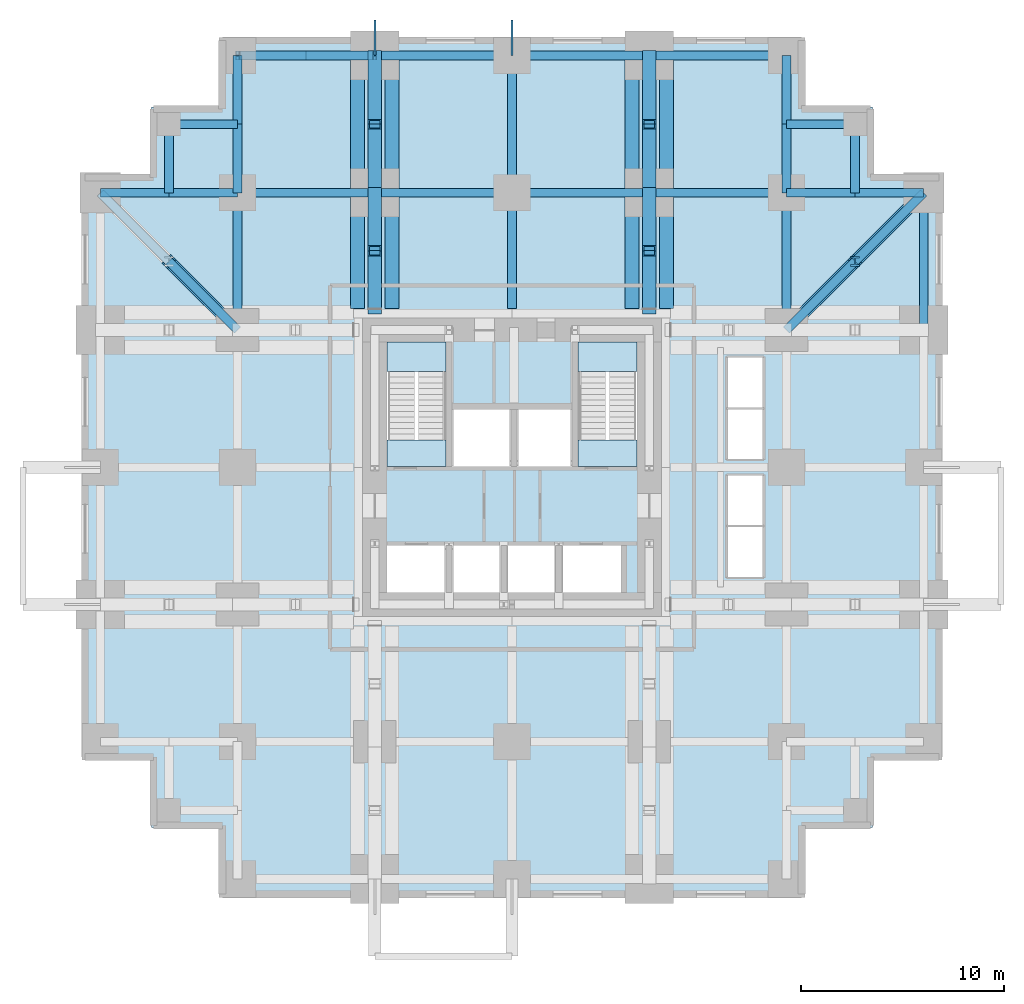
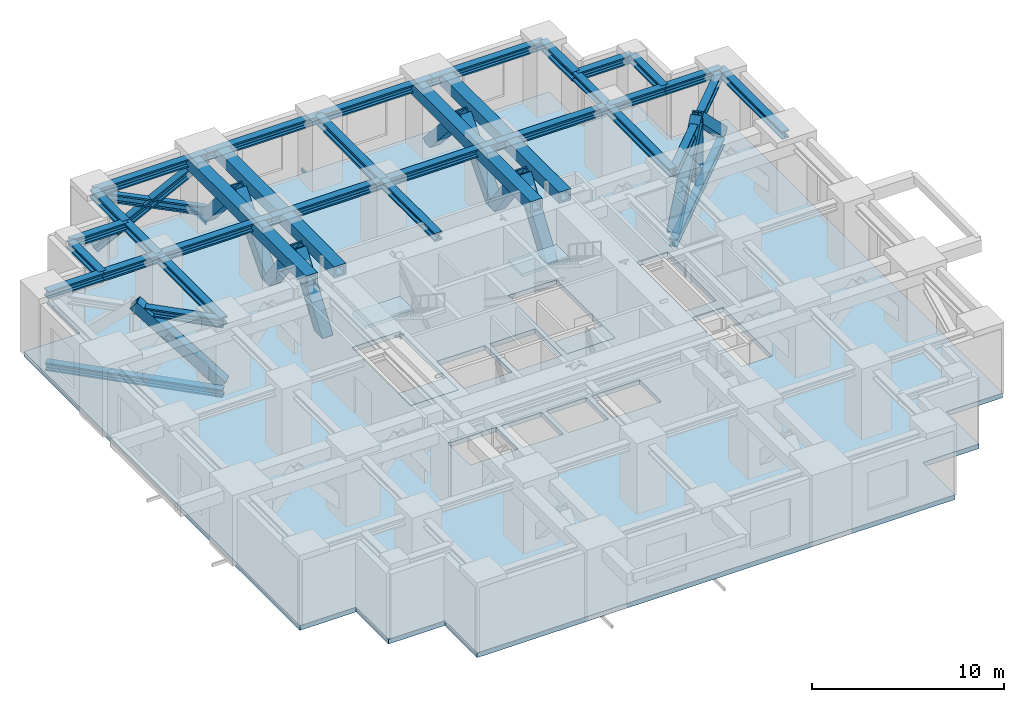
# One storey, part 3 of 6: 33 beams, 21 members, 5 slabs, 2 elements without a shape of their own.
"""IFC4 building model written with IfcOpenShell, lengths in metres."""

from ifc_helpers import new_model, si_unit, direction, frame, origin, origin_2d, place, context, subcontext, project, spatial, polyline, hollow_rectangle, i_section, outline, extrude, material, layer, layer_set, material_profile, profile_set, type_object, element, aggregate, save


model = new_model("IFC4")

# Units and contexts
model_context = context("Model", 3, precision=1e-05, world=origin(), true_north=direction((0.0, 1.0)))
body_context = subcontext(model_context, "Body", "Model", "MODEL_VIEW")
ifc_project = project(units=[si_unit("LENGTHUNIT", "METRE"), si_unit("AREAUNIT", "SQUARE_METRE"), si_unit("VOLUMEUNIT", "CUBIC_METRE"), si_unit("PLANEANGLEUNIT", "RADIAN"), si_unit("MASSUNIT", "GRAM", prefix="KILO")], contexts=[model_context])

# Site, building, storey
site_placement = place(None, origin())
site = spatial("IfcSite", under=ifc_project, at=site_placement, CompositionType="ELEMENT")
building_placement = place(site_placement, origin())
building = spatial("IfcBuilding", under=site, at=building_placement, Name="Nyansa Garden Tower", CompositionType="ELEMENT")
storey_placement = place(building_placement, frame((0.0, 0.0, 75.60009765625)))
storey = spatial("IfcBuildingStorey", under=building, at=storey_placement, Name="L20", CompositionType="ELEMENT", Elevation=75.60009765625)

# Members
ifc_material_1 = material(Name="Steel S355", Category="steel")
ifc_material_profile_1 = material_profile(ifc_material_1, i_section(OverallWidth=0.431884765625, OverallDepth=0.498046875, WebThickness=0.0556640625, FlangeThickness=0.0888671875, FilletRadius=0.014892578125, at=origin_2d()), Name="HD 400x744")
ifc_profile_set_1 = profile_set([ifc_material_profile_1], Name="Steel S355")
member_type_1 = type_object("IfcMemberType", Name="Belt truss diagonal HD 400x744", PredefinedType="BRACE", material=ifc_profile_set_1)
for number, where, z_axis, x_axis, name in (
    (1, (6.75, 40.5, 0.39990234375), (0.895745130073, 0.0, 0.444567949756), (0.0, 1.0, 0.0), "Belt truss diagonal N1a L20"),
    (2, (13.5, 40.5, 0.39990234375), (-0.895745130073, 0.0, 0.444567949756), (0.0, -1.0, 0.0), "Belt truss diagonal N1b L20"),
):
    element("IfcMember", number, at=place(storey_placement, frame(where, z_axis=z_axis, x_axis=x_axis)), inside=storey, type_object=member_type_1, Name=name, PredefinedType="BRACE", context=body_context, shape_type="SweptSolid", body=[
        extrude(i_section(OverallWidth=0.431884765625, OverallDepth=0.498046875, WebThickness=0.0556640625, FlangeThickness=0.0888671875, FilletRadius=0.014892578125, at=origin_2d()), origin(), (0.0, 0.0, 1.0), 7.53564453125),
    ])
ifc_material_2 = material(Name="Steel S355, black powder coated", Category="steel")
ifc_material_profile_2 = material_profile(ifc_material_2, hollow_rectangle(XDim=0.10009765625, YDim=0.199951171875, WallThickness=0.008056640625, at=origin_2d()), Name="RHS 200x100x8")
ifc_profile_set_2 = profile_set([ifc_material_profile_2], Name="Steel S355, black powder coated")
member_type_2 = type_object("IfcMemberType", Name="Outer skin bracket arm RHS 200x100x8", PredefinedType="USERDEFINED", material=ifc_profile_set_2)
for number, where, z_axis, x_axis, name in (
    (3, (13.5, 40.5, -0.4501953125), (0.0, 1.0, 0.0), (-1.0, 0.0, 0.0), "Outer skin bracket arm"),
    (4, (20.25, 40.5, -0.4501953125), (0.0, 1.0, 0.0), (-1.0, 0.0, 0.0), "Outer skin bracket arm"),
):
    element("IfcMember", number, at=place(storey_placement, frame(where, z_axis=z_axis, x_axis=x_axis)), inside=storey, type_object=member_type_2, Name=name, ObjectType="OUTER SKIN BRACKET", PredefinedType="USERDEFINED", context=body_context, shape_type="SweptSolid", body=[
        extrude(hollow_rectangle(XDim=0.10009765625, YDim=0.199951171875, WallThickness=0.008056640625, at=origin_2d()), origin(), (0.0, 0.0, 1.0), 1.75),
    ])

# Beams
ifc_material_3 = material(Name="Steel S355", Category="steel")
ifc_material_profile_3 = material_profile(ifc_material_3, hollow_rectangle(XDim=0.699951171875, YDim=0.699951171875, WallThickness=0.110107421875, at=origin_2d()), Name="Welded box 700x700x110")
ifc_profile_set_3 = profile_set([ifc_material_profile_3], Name="Steel S355")
beam_type_1 = type_object("IfcBeamType", Name="Outrigger chord OC2 welded box 700x700x110 S355", PredefinedType="BEAM", material=ifc_profile_set_3)
for number, where, z_axis, x_axis, name in (
    (5, (12.64990234375, 28.050048828125, 3.7998046875), (0.0, 1.0, 0.0), (-1.0, 0.0, 0.0), "Beam 4/28.050-4/J L21 a"),
    (6, (14.35009765625, 28.050048828125, 3.7998046875), (0.0, 1.0, 0.0), (-1.0, 0.0, 0.0), "Beam 4/28.050-4/J L21 b"),
):
    element("IfcBeam", number, at=place(storey_placement, frame(where, z_axis=z_axis, x_axis=x_axis)), inside=storey, type_object=beam_type_1, Name=name, PredefinedType="BEAM", context=body_context, shape_type="SweptSolid", body=[
        extrude(hollow_rectangle(XDim=0.699951171875, YDim=0.699951171875, WallThickness=0.110107421875, at=origin_2d()), origin(), (0.0, 0.0, 1.0), 5.699951171875),
    ])
for number, where, z_axis, x_axis, name in (
    (7, (12.64990234375, 33.75, 3.7998046875), (0.0, 1.0, 0.0), (-1.0, 0.0, 0.0), "Beam 4/J-4/K L21 a"),
    (8, (14.35009765625, 33.75, 3.7998046875), (0.0, 1.0, 0.0), (-1.0, 0.0, 0.0), "Beam 4/J-4/K L21 b"),
):
    element("IfcBeam", number, at=place(storey_placement, frame(where, z_axis=z_axis, x_axis=x_axis)), inside=storey, type_object=beam_type_1, Name=name, PredefinedType="BEAM", context=body_context, shape_type="SweptSolid", body=[
        extrude(hollow_rectangle(XDim=0.699951171875, YDim=0.699951171875, WallThickness=0.110107421875, at=origin_2d()), origin(), (0.0, 0.0, 1.0), 6.75),
    ])
for number, where, z_axis, x_axis, name in (
    (9, (26.14990234375, 28.050048828125, 3.7998046875), (0.0, 1.0, 0.0), (-1.0, 0.0, 0.0), "Beam 6/28.050-6/J L21 a"),
    (10, (27.85009765625, 28.050048828125, 3.7998046875), (0.0, 1.0, 0.0), (-1.0, 0.0, 0.0), "Beam 6/28.050-6/J L21 b"),
):
    element("IfcBeam", number, at=place(storey_placement, frame(where, z_axis=z_axis, x_axis=x_axis)), inside=storey, type_object=beam_type_1, Name=name, PredefinedType="BEAM", context=body_context, shape_type="SweptSolid", body=[
        extrude(hollow_rectangle(XDim=0.699951171875, YDim=0.699951171875, WallThickness=0.110107421875, at=origin_2d()), origin(), (0.0, 0.0, 1.0), 5.699951171875),
    ])
for number, where, z_axis, x_axis, name in (
    (11, (26.14990234375, 33.75, 3.7998046875), (0.0, 1.0, 0.0), (-1.0, 0.0, 0.0), "Beam 6/J-6/K L21 a"),
    (12, (27.85009765625, 33.75, 3.7998046875), (0.0, 1.0, 0.0), (-1.0, 0.0, 0.0), "Beam 6/J-6/K L21 b"),
):
    element("IfcBeam", number, at=place(storey_placement, frame(where, z_axis=z_axis, x_axis=x_axis)), inside=storey, type_object=beam_type_1, Name=name, PredefinedType="BEAM", context=body_context, shape_type="SweptSolid", body=[
        extrude(hollow_rectangle(XDim=0.699951171875, YDim=0.699951171875, WallThickness=0.110107421875, at=origin_2d()), origin(), (0.0, 0.0, 1.0), 6.75),
    ])

# Members
ifc_material_4 = material(Name="Steel S355", Category="steel")
ifc_material_profile_4 = material_profile(ifc_material_4, hollow_rectangle(XDim=0.64990234375, YDim=0.64990234375, WallThickness=0.070068359375, at=origin_2d()), Name="Welded box 650x650x70")
ifc_profile_set_4 = profile_set([ifc_material_profile_4], Name="Steel S355")
member_type_3 = type_object("IfcMemberType", Name="Outrigger truss diagonal OT3 welded box 650x650x70 S355", PredefinedType="BRACE", material=ifc_profile_set_4)
member_1_placement = place(storey_placement, frame((13.5, 28.050048828125, -0.300048828125), z_axis=(0.0, 0.570765031225, 0.82111343865), x_axis=(-1.0, 0.0, 0.0)))
element("IfcMember", 13, at=member_1_placement, inside=storey, type_object=member_type_3, Name="Outrigger truss diagonal L20 3.1a", PredefinedType="BRACE", context=body_context, shape_type="SweptSolid", body=[
    extrude(hollow_rectangle(XDim=0.64990234375, YDim=0.64990234375, WallThickness=0.070068359375, at=origin_2d()), origin(), (0.0, 0.0, 1.0), 4.992919921875),
])
member_2_placement = place(storey_placement, frame((13.5, 33.75, 0.0), z_axis=(0.0, -0.600032894906, 0.799975327764), x_axis=(1.0, 0.0, 0.0)))
element("IfcMember", 14, at=member_2_placement, inside=storey, type_object=member_type_3, Name="Outrigger truss diagonal L20 3.1b", PredefinedType="BRACE", context=body_context, shape_type="SweptSolid", body=[
    extrude(hollow_rectangle(XDim=0.64990234375, YDim=0.64990234375, WallThickness=0.070068359375, at=origin_2d()), origin(), (0.0, 0.0, 1.0), 4.75),
])
for number, where, z_axis, x_axis, name in (
    (15, (13.5, 33.75, 0.0), (0.0, 0.664077549785, 0.747663699715), (-1.0, 0.0, 0.0), "Outrigger truss diagonal L20 3.2a"),
    (16, (13.5, 40.5, 0.0), (0.0, -0.664077549785, 0.747663699715), (1.0, 0.0, 0.0), "Outrigger truss diagonal L20 3.2b"),
):
    element("IfcMember", number, at=place(storey_placement, frame(where, z_axis=z_axis, x_axis=x_axis)), inside=storey, type_object=member_type_3, Name=name, PredefinedType="BRACE", context=body_context, shape_type="SweptSolid", body=[
        extrude(hollow_rectangle(XDim=0.64990234375, YDim=0.64990234375, WallThickness=0.070068359375, at=origin_2d()), origin(), (0.0, 0.0, 1.0), 5.082275390625),
    ])
member_3_placement = place(storey_placement, frame((27.0, 28.050048828125, -0.300048828125), z_axis=(0.0, 0.570765031225, 0.82111343865), x_axis=(-1.0, 0.0, 0.0)))
element("IfcMember", 17, at=member_3_placement, inside=storey, type_object=member_type_3, Name="Outrigger truss diagonal L20 4.1a", PredefinedType="BRACE", context=body_context, shape_type="SweptSolid", body=[
    extrude(hollow_rectangle(XDim=0.64990234375, YDim=0.64990234375, WallThickness=0.070068359375, at=origin_2d()), origin(), (0.0, 0.0, 1.0), 4.992919921875),
])
member_4_placement = place(storey_placement, frame((27.0, 33.75, 0.0), z_axis=(0.0, -0.600032894906, 0.799975327764), x_axis=(1.0, 0.0, 0.0)))
element("IfcMember", 18, at=member_4_placement, inside=storey, type_object=member_type_3, Name="Outrigger truss diagonal L20 4.1b", PredefinedType="BRACE", context=body_context, shape_type="SweptSolid", body=[
    extrude(hollow_rectangle(XDim=0.64990234375, YDim=0.64990234375, WallThickness=0.070068359375, at=origin_2d()), origin(), (0.0, 0.0, 1.0), 4.75),
])
for number, where, z_axis, x_axis, name in (
    (19, (27.0, 33.75, 0.0), (0.0, 0.664077549785, 0.747663699715), (-1.0, 0.0, 0.0), "Outrigger truss diagonal L20 4.2a"),
    (20, (27.0, 40.5, 0.0), (0.0, -0.664077549785, 0.747663699715), (1.0, 0.0, 0.0), "Outrigger truss diagonal L20 4.2b"),
):
    element("IfcMember", number, at=place(storey_placement, frame(where, z_axis=z_axis, x_axis=x_axis)), inside=storey, type_object=member_type_3, Name=name, PredefinedType="BRACE", context=body_context, shape_type="SweptSolid", body=[
        extrude(hollow_rectangle(XDim=0.64990234375, YDim=0.64990234375, WallThickness=0.070068359375, at=origin_2d()), origin(), (0.0, 0.0, 1.0), 5.082275390625),
    ])

# Beams
ifc_material_5 = material(Name="Steel S355", Category="steel")
ifc_material_profile_5 = material_profile(ifc_material_5, i_section(OverallWidth=0.4541015625, OverallDepth=0.569091796875, WebThickness=0.077880859375, FlangeThickness=0.125, FilletRadius=0.014892578125, at=origin_2d()), Name="HD 400x1086")
ifc_profile_set_5 = profile_set([ifc_material_profile_5], Name="Steel S355")
beam_type_2 = type_object("IfcBeamType", Name="Steel beam SBA2-1086 HD 400x1086", PredefinedType="BEAM", material=ifc_profile_set_5)
beam_1_placement = place(storey_placement, frame((20.25, 33.75, 3.865478515625), z_axis=(0.0, 1.0, 0.0), x_axis=(-1.0, 0.0, 0.0)))
element("IfcBeam", 21, at=beam_1_placement, inside=storey, type_object=beam_type_2, Name="Steel beam 5/J-5/K L21", PredefinedType="BEAM", context=body_context, shape_type="SweptSolid", body=[
    extrude(i_section(OverallWidth=0.4541015625, OverallDepth=0.569091796875, WebThickness=0.077880859375, FlangeThickness=0.125, FilletRadius=0.014892578125, at=origin_2d()), origin(), (0.0, 0.0, 1.0), 6.75),
])
ifc_material_6 = material(Name="Steel S355", Category="steel")
ifc_material_profile_6 = material_profile(ifc_material_6, i_section(OverallWidth=0.431884765625, OverallDepth=0.498046875, WebThickness=0.0556640625, FlangeThickness=0.0888671875, FilletRadius=0.014892578125, at=origin_2d()), Name="HD 400x744")
ifc_profile_set_6 = profile_set([ifc_material_profile_6], Name="Steel S355")
beam_type_3 = type_object("IfcBeamType", Name="Steel beam SBA2-744 HD 400x744", PredefinedType="BEAM", material=ifc_profile_set_6)
beam_2_placement = place(storey_placement, frame((3.375, 33.75, 3.90087890625), z_axis=(1.0, 0.0, 0.0), x_axis=(0.0, 1.0, 0.0)))
element("IfcBeam", 22, at=beam_2_placement, inside=storey, type_object=beam_type_3, Name="Steel beam 3.375/J-3/J L21", PredefinedType="BEAM", context=body_context, shape_type="SweptSolid", body=[
    extrude(i_section(OverallWidth=0.431884765625, OverallDepth=0.498046875, WebThickness=0.0556640625, FlangeThickness=0.0888671875, FilletRadius=0.014892578125, at=origin_2d()), origin(), (0.0, 0.0, 1.0), 3.375),
])
beam_3_placement = place(storey_placement, frame((6.75, 27.0, 3.90087890625), z_axis=(0.0, 1.0, 0.0), x_axis=(-1.0, 0.0, 0.0)))
element("IfcBeam", 23, at=beam_3_placement, inside=storey, type_object=beam_type_3, Name="Steel beam 3/H-3/J L21", PredefinedType="BEAM", context=body_context, shape_type="SweptSolid", body=[
    extrude(i_section(OverallWidth=0.431884765625, OverallDepth=0.498046875, WebThickness=0.0556640625, FlangeThickness=0.0888671875, FilletRadius=0.014892578125, at=origin_2d()), origin(), (0.0, 0.0, 1.0), 6.75),
])
beam_4_placement = place(storey_placement, frame((6.75, 33.75, 3.90087890625), z_axis=(0.0, 1.0, 0.0), x_axis=(-1.0, 0.0, 0.0)))
element("IfcBeam", 24, at=beam_4_placement, inside=storey, type_object=beam_type_3, Name="Steel beam 3/J-3/37.125 L21", PredefinedType="BEAM", context=body_context, shape_type="SweptSolid", body=[
    extrude(i_section(OverallWidth=0.431884765625, OverallDepth=0.498046875, WebThickness=0.0556640625, FlangeThickness=0.0888671875, FilletRadius=0.014892578125, at=origin_2d()), origin(), (0.0, 0.0, 1.0), 3.375),
])
for number, where, z_axis, x_axis, name in (
    (25, (6.75, 33.75, 3.90087890625), (1.0, 0.0, 0.0), (0.0, 1.0, 0.0), "Steel beam 3/J-4/J L21"),
    (26, (13.5, 33.75, 3.90087890625), (1.0, 0.0, 0.0), (0.0, 1.0, 0.0), "Steel beam 4/J-5/J L21"),
):
    element("IfcBeam", number, at=place(storey_placement, frame(where, z_axis=z_axis, x_axis=x_axis)), inside=storey, type_object=beam_type_3, Name=name, PredefinedType="BEAM", context=body_context, shape_type="SweptSolid", body=[
        extrude(i_section(OverallWidth=0.431884765625, OverallDepth=0.498046875, WebThickness=0.0556640625, FlangeThickness=0.0888671875, FilletRadius=0.014892578125, at=origin_2d()), origin(), (0.0, 0.0, 1.0), 6.75),
    ])
beam_5_placement = place(storey_placement, frame((20.25, 28.050048828125, 3.90087890625), z_axis=(0.0, 1.0, 0.0), x_axis=(-1.0, 0.0, 0.0)))
element("IfcBeam", 27, at=beam_5_placement, inside=storey, type_object=beam_type_3, Name="Steel beam 5/28.050-5/J L21", PredefinedType="BEAM", context=body_context, shape_type="SweptSolid", body=[
    extrude(i_section(OverallWidth=0.431884765625, OverallDepth=0.498046875, WebThickness=0.0556640625, FlangeThickness=0.0888671875, FilletRadius=0.014892578125, at=origin_2d()), origin(), (0.0, 0.0, 1.0), 5.699951171875),
])
for number, where, z_axis, x_axis, name in (
    (28, (20.25, 33.75, 3.90087890625), (1.0, 0.0, 0.0), (0.0, 1.0, 0.0), "Steel beam 5/J-6/J L21"),
    (29, (27.0, 33.75, 3.90087890625), (1.0, 0.0, 0.0), (0.0, 1.0, 0.0), "Steel beam 6/J-7/J L21"),
    (30, (33.75, 27.0, 3.90087890625), (0.0, 1.0, 0.0), (-1.0, 0.0, 0.0), "Steel beam 7/H-7/J L21"),
):
    element("IfcBeam", number, at=place(storey_placement, frame(where, z_axis=z_axis, x_axis=x_axis)), inside=storey, type_object=beam_type_3, Name=name, PredefinedType="BEAM", context=body_context, shape_type="SweptSolid", body=[
        extrude(i_section(OverallWidth=0.431884765625, OverallDepth=0.498046875, WebThickness=0.0556640625, FlangeThickness=0.0888671875, FilletRadius=0.014892578125, at=origin_2d()), origin(), (0.0, 0.0, 1.0), 6.75),
    ])
for number, where, z_axis, x_axis, name in (
    (31, (33.75, 33.75, 3.90087890625), (0.0, 1.0, 0.0), (-1.0, 0.0, 0.0), "Steel beam 7/J-7/37.125 L21"),
    (32, (33.75, 33.75, 3.90087890625), (1.0, 0.0, 0.0), (0.0, 1.0, 0.0), "Steel beam 7/J-37.125/J L21"),
):
    element("IfcBeam", number, at=place(storey_placement, frame(where, z_axis=z_axis, x_axis=x_axis)), inside=storey, type_object=beam_type_3, Name=name, PredefinedType="BEAM", context=body_context, shape_type="SweptSolid", body=[
        extrude(i_section(OverallWidth=0.431884765625, OverallDepth=0.498046875, WebThickness=0.0556640625, FlangeThickness=0.0888671875, FilletRadius=0.014892578125, at=origin_2d()), origin(), (0.0, 0.0, 1.0), 3.375),
    ])
ifc_material_7 = material(Name="Steel S355", Category="steel")
ifc_material_profile_7 = material_profile(ifc_material_7, i_section(OverallWidth=0.431884765625, OverallDepth=0.498046875, WebThickness=0.0556640625, FlangeThickness=0.0888671875, FilletRadius=0.014892578125, at=origin_2d()), Name="HD 400x744")
ifc_profile_set_7 = profile_set([ifc_material_profile_7], Name="Steel S355")
beam_type_4 = type_object("IfcBeamType", Name="Steel beam SEBA-744 HD 400x744", PredefinedType="BEAM", material=ifc_profile_set_7)
for number, where, z_axis, x_axis, name in (
    (33, (6.75, 40.5, 3.90087890625), (1.0, 0.0, 0.0), (0.0, 1.0, 0.0), "Steel edge beam 3/K-4/K L21"),
    (34, (13.5, 40.5, 3.90087890625), (1.0, 0.0, 0.0), (0.0, 1.0, 0.0), "Steel edge beam 4/K-5/K L21"),
    (35, (20.25, 40.5, 3.90087890625), (1.0, 0.0, 0.0), (0.0, 1.0, 0.0), "Steel edge beam 5/K-6/K L21"),
    (36, (27.0, 40.5, 3.90087890625), (1.0, 0.0, 0.0), (0.0, 1.0, 0.0), "Steel edge beam 6/K-7/K L21"),
    (37, (40.5, 27.0, 3.90087890625), (0.0, 1.0, 0.0), (-1.0, 0.0, 0.0), "Steel edge beam 8/H-8/J L21"),
):
    element("IfcBeam", number, at=place(storey_placement, frame(where, z_axis=z_axis, x_axis=x_axis)), inside=storey, type_object=beam_type_4, Name=name, PredefinedType="BEAM", context=body_context, shape_type="SweptSolid", body=[
        extrude(i_section(OverallWidth=0.431884765625, OverallDepth=0.498046875, WebThickness=0.0556640625, FlangeThickness=0.0888671875, FilletRadius=0.014892578125, at=origin_2d()), origin(), (0.0, 0.0, 1.0), 6.75),
    ])
ifc_material_8 = material(Name="Steel S355", Category="steel")
ifc_material_profile_8 = material_profile(ifc_material_8, i_section(OverallWidth=0.4541015625, OverallDepth=0.569091796875, WebThickness=0.077880859375, FlangeThickness=0.125, FilletRadius=0.014892578125, at=origin_2d()), Name="HD 400x1086")
ifc_profile_set_8 = profile_set([ifc_material_profile_8], Name="Steel S355")
beam_type_5 = type_object("IfcBeamType", Name="Steel beam SEBA2-1086 HD 400x1086", PredefinedType="BEAM", material=ifc_profile_set_8)
for number, where, z_axis, x_axis, name in (
    (38, (6.75, 37.125, 3.865478515625), (0.0, 1.0, 0.0), (-1.0, 0.0, 0.0), "Steel edge beam 3/37.125-3/K L21"),
    (39, (33.75, 37.125, 3.865478515625), (0.0, 1.0, 0.0), (-1.0, 0.0, 0.0), "Steel edge beam 7/37.125-7/K L21"),
):
    element("IfcBeam", number, at=place(storey_placement, frame(where, z_axis=z_axis, x_axis=x_axis)), inside=storey, type_object=beam_type_5, Name=name, PredefinedType="BEAM", context=body_context, shape_type="SweptSolid", body=[
        extrude(i_section(OverallWidth=0.4541015625, OverallDepth=0.569091796875, WebThickness=0.077880859375, FlangeThickness=0.125, FilletRadius=0.014892578125, at=origin_2d()), origin(), (0.0, 0.0, 1.0), 3.375),
    ])
ifc_material_9 = material(Name="Steel S355", Category="steel")
ifc_material_profile_9 = material_profile(ifc_material_9, i_section(OverallWidth=0.431884765625, OverallDepth=0.498046875, WebThickness=0.0556640625, FlangeThickness=0.0888671875, FilletRadius=0.014892578125, at=origin_2d()), Name="HD 400x744")
ifc_profile_set_9 = profile_set([ifc_material_profile_9], Name="Steel S355")
beam_type_6 = type_object("IfcBeamType", Name="Steel beam SEBA2-744 HD 400x744", PredefinedType="BEAM", material=ifc_profile_set_9)
for number, where, z_axis, x_axis, name in (
    (40, (0.0, 33.75, 3.90087890625), (1.0, 0.0, 0.0), (0.0, 1.0, 0.0), "Steel edge beam 2/J-3.375/J L21"),
    (41, (37.125, 33.75, 3.90087890625), (1.0, 0.0, 0.0), (0.0, 1.0, 0.0), "Steel edge beam 37.125/J-8/J L21"),
):
    element("IfcBeam", number, at=place(storey_placement, frame(where, z_axis=z_axis, x_axis=x_axis)), inside=storey, type_object=beam_type_6, Name=name, PredefinedType="BEAM", context=body_context, shape_type="SweptSolid", body=[
        extrude(i_section(OverallWidth=0.431884765625, OverallDepth=0.498046875, WebThickness=0.0556640625, FlangeThickness=0.0888671875, FilletRadius=0.014892578125, at=origin_2d()), origin(), (0.0, 0.0, 1.0), 3.375),
    ])
ifc_material_10 = material(Name="Steel S355", Category="steel")
ifc_material_profile_10 = material_profile(ifc_material_10, i_section(OverallWidth=0.431884765625, OverallDepth=0.498046875, WebThickness=0.0556640625, FlangeThickness=0.0888671875, FilletRadius=0.014892578125, at=origin_2d()), Name="HD 400x744")
ifc_profile_set_10 = profile_set([ifc_material_profile_10], Name="Steel S355")
beam_type_7 = type_object("IfcBeamType", Name="Steel beam SSB1-744 HD 400x744", PredefinedType="BEAM", material=ifc_profile_set_10)
for number, where, z_axis, x_axis, name in (
    (42, (37.125, 37.125, 3.90087890625), (0.0, -1.0, 0.0), (1.0, 0.0, 0.0), "Steel step beam 37.125/37.125 L21"),
    (43, (37.125, 37.125, 3.90087890625), (-1.0, 0.0, 0.0), (0.0, -1.0, 0.0), "Steel step beam 37.125/37.125 L21"),
    (44, (3.375, 37.125, 3.90087890625), (0.0, -1.0, 0.0), (1.0, 0.0, 0.0), "Steel step beam 3.375/37.125 L21"),
    (45, (3.375, 37.125, 3.90087890625), (1.0, 0.0, 0.0), (0.0, 1.0, 0.0), "Steel step beam 3.375/37.125 L21"),
):
    element("IfcBeam", number, at=place(storey_placement, frame(where, z_axis=z_axis, x_axis=x_axis)), inside=storey, type_object=beam_type_7, Name=name, PredefinedType="BEAM", context=body_context, shape_type="SweptSolid", body=[
        extrude(i_section(OverallWidth=0.431884765625, OverallDepth=0.498046875, WebThickness=0.0556640625, FlangeThickness=0.0888671875, FilletRadius=0.014892578125, at=origin_2d()), origin(), (0.0, 0.0, 1.0), 3.375),
    ])

# Members
ifc_material_11 = material(Name="Steel S355", Category="steel")
ifc_material_profile_11 = material_profile(ifc_material_11, hollow_rectangle(XDim=0.60009765625, YDim=0.60009765625, WallThickness=0.070068359375, at=origin_2d()), Name="Welded box 600x600x70")
ifc_profile_set_11 = profile_set([ifc_material_profile_11], Name="Steel S355")
member_type_4 = type_object("IfcMemberType", Name="Transfer truss diagonal TT4 welded box 600x600x70 S355", PredefinedType="BRACE", material=ifc_profile_set_11)
for number, where, z_axis, x_axis, name in (
    (46, (6.75, 27.0, 0.0), (-0.530849130986, 0.530849130986, 0.660604571785), (-0.707106781187, -0.707106781187, 0.0), "Transfer truss diagonal L21 3.375/30.375 b"),
    (47, (33.75, 27.0, 0.0), (0.530849130986, 0.530849130986, 0.660604571785), (-0.707106781187, 0.707106781187, 0.0), "Transfer truss diagonal L21 37.125/30.375 a"),
    (48, (40.5, 33.75, 0.0), (-0.530849130986, -0.530849130986, 0.660604571785), (0.707106781187, -0.707106781187, 0.0), "Transfer truss diagonal L21 37.125/30.375 b"),
):
    element("IfcMember", number, at=place(storey_placement, frame(where, z_axis=z_axis, x_axis=x_axis)), inside=storey, type_object=member_type_4, Name=name, PredefinedType="BRACE", context=body_context, shape_type="SweptSolid", body=[
        extrude(hollow_rectangle(XDim=0.60009765625, YDim=0.60009765625, WallThickness=0.070068359375, at=origin_2d()), origin(), (0.0, 0.0, 1.0), 6.357666015625),
    ])
ifc_material_12 = material(Name="Steel S355", Category="steel")
ifc_material_profile_12 = material_profile(ifc_material_12, i_section(OverallWidth=0.431884765625, OverallDepth=0.498046875, WebThickness=0.0556640625, FlangeThickness=0.0888671875, FilletRadius=0.014892578125, at=origin_2d()), Name="HD 400x744")
ifc_profile_set_12 = profile_set([ifc_material_profile_12], Name="Steel S355")
member_type_5 = type_object("IfcMemberType", Name="Transfer truss king post HD 400x744", PredefinedType="MEMBER", material=ifc_profile_set_12)
member_5_placement = place(storey_placement, frame((37.125, 30.375, -0.60009765625), z_axis=(0.0, 0.0, 1.0), x_axis=(1.0, 0.0, 0.0)))
element("IfcMember", 49, at=member_5_placement, inside=storey, type_object=member_type_5, Name="Transfer truss king post L21 37.125/30.375", PredefinedType="MEMBER", context=body_context, shape_type="SweptSolid", body=[
    extrude(i_section(OverallWidth=0.431884765625, OverallDepth=0.498046875, WebThickness=0.0556640625, FlangeThickness=0.0888671875, FilletRadius=0.014892578125, at=origin_2d()), origin(), (0.0, 0.0, 1.0), 4.75),
])
ifc_material_13 = material(Name="Steel S355", Category="steel")
ifc_material_profile_13 = material_profile(ifc_material_13, i_section(OverallWidth=0.431884765625, OverallDepth=0.498046875, WebThickness=0.0556640625, FlangeThickness=0.0888671875, FilletRadius=0.014892578125, at=origin_2d()), Name="HD 400x744")
ifc_profile_set_13 = profile_set([ifc_material_profile_13], Name="Steel S355")
member_type_6 = type_object("IfcMemberType", Name="Transfer truss tie HD 400x744", PredefinedType="MEMBER", material=ifc_profile_set_13)
member_6_placement = place(storey_placement, frame((6.75, 27.0, 3.849853515625), z_axis=(-0.707106781187, 0.707106781187, 0.0), x_axis=(-0.707106781187, -0.707106781187, 0.0)))
element("IfcMember", 50, at=member_6_placement, inside=storey, type_object=member_type_6, Name="Transfer truss tie L21 3.375/30.375 top b", PredefinedType="MEMBER", context=body_context, shape_type="SweptSolid", body=[
    extrude(i_section(OverallWidth=0.431884765625, OverallDepth=0.498046875, WebThickness=0.0556640625, FlangeThickness=0.0888671875, FilletRadius=0.014892578125, at=origin_2d()), origin(), (0.0, 0.0, 1.0), 4.77294921875),
])
member_7_placement = place(storey_placement, frame((0.0, 33.75, -0.60009765625), z_axis=(0.707106781187, -0.707106781187, 0.0), x_axis=(0.707106781187, 0.707106781187, 0.0)))
element("IfcMember", 51, at=member_7_placement, inside=storey, type_object=member_type_6, Name="Transfer truss tie L21 3.375/30.375 bottom", PredefinedType="MEMBER", context=body_context, shape_type="SweptSolid", body=[
    extrude(i_section(OverallWidth=0.431884765625, OverallDepth=0.498046875, WebThickness=0.0556640625, FlangeThickness=0.0888671875, FilletRadius=0.014892578125, at=origin_2d()), origin(), (0.0, 0.0, 1.0), 9.5458984375),
])
for number, where, z_axis, x_axis, name in (
    (52, (33.75, 27.0, 3.849853515625), (0.707106781187, 0.707106781187, 0.0), (-0.707106781187, 0.707106781187, 0.0), "Transfer truss tie L21 37.125/30.375 top a"),
    (53, (40.5, 33.75, 3.849853515625), (-0.707106781187, -0.707106781187, 0.0), (0.707106781187, -0.707106781187, 0.0), "Transfer truss tie L21 37.125/30.375 top b"),
):
    element("IfcMember", number, at=place(storey_placement, frame(where, z_axis=z_axis, x_axis=x_axis)), inside=storey, type_object=member_type_6, Name=name, PredefinedType="MEMBER", context=body_context, shape_type="SweptSolid", body=[
        extrude(i_section(OverallWidth=0.431884765625, OverallDepth=0.498046875, WebThickness=0.0556640625, FlangeThickness=0.0888671875, FilletRadius=0.014892578125, at=origin_2d()), origin(), (0.0, 0.0, 1.0), 4.77294921875),
    ])
member_8_placement = place(storey_placement, frame((33.75, 27.0, -0.60009765625), z_axis=(0.707106781187, 0.707106781187, 0.0), x_axis=(-0.707106781187, 0.707106781187, 0.0)))
element("IfcMember", 54, at=member_8_placement, inside=storey, type_object=member_type_6, Name="Transfer truss tie L21 37.125/30.375 bottom", PredefinedType="MEMBER", context=body_context, shape_type="SweptSolid", body=[
    extrude(i_section(OverallWidth=0.431884765625, OverallDepth=0.498046875, WebThickness=0.0556640625, FlangeThickness=0.0888671875, FilletRadius=0.014892578125, at=origin_2d()), origin(), (0.0, 0.0, 1.0), 9.5458984375),
])

# Slab
ifc_material_14 = material(Name="Concrete C40/50", Category="concrete")
ifc_layer_1 = layer(ifc_material_14, 0.300048828125)
ifc_layer_set_1 = layer_set([ifc_layer_1], Name="Floor slab FS300")
slab_type_1 = type_object("IfcSlabType", Name="Floor slab FS300", PredefinedType="FLOOR", material=ifc_layer_set_1)
slab_1_placement = place(storey_placement, frame((0.0, 0.0, -0.300048828125)))
element("IfcSlab", 55, at=slab_1_placement, inside=storey, type_object=slab_type_1, Name="Floor slab L20", PredefinedType="FLOOR", context=body_context, shape_type="SweptSolid", body=[
    extrude(outline(polyline([(41.35009765625, 5.89990234375), (37.97509765625, 5.89990234375), (37.97509765625, 2.52490234375), (34.60009765625, 2.52490234375), (34.60009765625, -0.85009765625), (5.89990234375, -0.85009765625), (5.89990234375, 2.52490234375), (2.52490234375, 2.52490234375), (2.52490234375, 5.89990234375), (-0.85009765625, 5.89990234375), (-0.85009765625, 34.60009765625), (2.52490234375, 34.60009765625), (2.52490234375, 37.97509765625), (5.89990234375, 37.97509765625), (5.89990234375, 41.35009765625), (34.60009765625, 41.35009765625), (34.60009765625, 37.97509765625), (37.97509765625, 37.97509765625), (37.97509765625, 34.60009765625), (41.35009765625, 34.60009765625), (41.35009765625, 5.89990234375)]), holes=[polyline([(14.10009765625, 14.10009765625), (17.0, 14.10009765625), (17.0, 16.39990234375), (14.10009765625, 16.39990234375), (14.10009765625, 14.10009765625)]), polyline([(17.300048828125, 14.10009765625), (19.699951171875, 14.10009765625), (19.699951171875, 16.39990234375), (17.300048828125, 16.39990234375), (17.300048828125, 14.10009765625)]), polyline([(20.0, 14.10009765625), (22.39990234375, 14.10009765625), (22.39990234375, 16.39990234375), (20.0, 16.39990234375), (20.0, 14.10009765625)]), polyline([(22.699951171875, 14.10009765625), (25.60009765625, 14.10009765625), (25.60009765625, 16.39990234375), (22.699951171875, 16.39990234375), (22.699951171875, 14.10009765625)]), polyline([(17.300048828125, 20.300048828125), (20.199951171875, 20.300048828125), (20.199951171875, 23.10009765625), (17.300048828125, 23.10009765625), (17.300048828125, 20.300048828125)]), polyline([(20.5, 20.300048828125), (23.199951171875, 20.300048828125), (23.199951171875, 23.10009765625), (20.5, 23.10009765625), (20.5, 20.300048828125)]), polyline([(30.800048828125, 14.800048828125), (32.64990234375, 14.800048828125), (32.64990234375, 19.89990234375), (30.800048828125, 19.89990234375), (30.800048828125, 14.800048828125)]), polyline([(30.800048828125, 20.60009765625), (32.64990234375, 20.60009765625), (32.64990234375, 25.699951171875), (30.800048828125, 25.699951171875), (30.800048828125, 20.60009765625)]), polyline([(14.10009765625, 20.300048828125), (17.0, 20.300048828125), (17.0, 26.39990234375), (14.10009765625, 26.39990234375), (14.10009765625, 20.300048828125)]), polyline([(23.5, 20.300048828125), (26.39990234375, 20.300048828125), (26.39990234375, 26.39990234375), (23.5, 26.39990234375), (23.5, 20.300048828125)])]), origin(), (0.0, 0.0, 1.0), 0.300048828125),
])

# Stair, slabs
ifc_material_15 = material(Name="Precast concrete C40/50", Category="concrete")
stair_type_1 = type_object("IfcStairType", Name="Stair S1 173x280", PredefinedType="HALF_TURN_STAIR", material=ifc_material_15)
stair_1_placement = place(storey_placement, origin())
stair_1 = element("IfcStair", 56, at=stair_1_placement, inside=storey, type_object=stair_type_1, Name="Stair S1 L20", PredefinedType="HALF_TURN_STAIR")
ifc_material_16 = material(Name="Concrete C40/50", Category="concrete")
ifc_layer_2 = layer(ifc_material_16, 0.199951171875)
ifc_layer_set_2 = layer_set([ifc_layer_2], Name="Stair landing SL200")
slab_type_2 = type_object("IfcSlabType", Name="Stair landing SL200", PredefinedType="LANDING", material=ifc_layer_set_2)
slab_2_placement = place(storey_placement, frame((0.0, 0.0, -0.2001953125)))
slab_2 = element("IfcSlab", 57, at=slab_2_placement, type_object=slab_type_2, Name="S1 landing 1", PredefinedType="LANDING", context=body_context, shape_type="SweptSolid", body=[
    extrude(outline(polyline([(14.10009765625, 20.300048828125), (17.0, 20.300048828125), (17.0, 21.60009765625), (14.10009765625, 21.60009765625), (14.10009765625, 20.300048828125)])), origin(), (0.0, 0.0, 1.0), 0.2001953125),
])
slab_3_placement = place(storey_placement, frame((0.0, 0.0, 2.0498046875)))
slab_3 = element("IfcSlab", 58, at=slab_3_placement, type_object=slab_type_2, Name="S1 landing 2", PredefinedType="LANDING", context=body_context, shape_type="SweptSolid", body=[
    extrude(outline(polyline([(14.10009765625, 24.9599609375), (17.0, 24.9599609375), (17.0, 26.39990234375), (14.10009765625, 26.39990234375), (14.10009765625, 24.9599609375)])), origin(), (0.0, 0.0, 1.0), 0.2001953125),
])
aggregate(stair_1, [slab_2, slab_3])

ifc_material_17 = material(Name="Precast concrete C40/50", Category="concrete")
stair_type_2 = type_object("IfcStairType", Name="Stair S2 173x280", PredefinedType="HALF_TURN_STAIR", material=ifc_material_17)
stair_2_placement = place(storey_placement, origin())
stair_2 = element("IfcStair", 59, at=stair_2_placement, inside=storey, type_object=stair_type_2, Name="Stair S2 L20", PredefinedType="HALF_TURN_STAIR")
slab_4_placement = place(storey_placement, frame((0.0, 0.0, -0.2001953125)))
slab_4 = element("IfcSlab", 60, at=slab_4_placement, type_object=slab_type_2, Name="S2 landing 1", PredefinedType="LANDING", context=body_context, shape_type="SweptSolid", body=[
    extrude(outline(polyline([(23.5, 20.300048828125), (26.39990234375, 20.300048828125), (26.39990234375, 21.60009765625), (23.5, 21.60009765625), (23.5, 20.300048828125)])), origin(), (0.0, 0.0, 1.0), 0.2001953125),
])
slab_5_placement = place(storey_placement, frame((0.0, 0.0, 2.0498046875)))
slab_5 = element("IfcSlab", 61, at=slab_5_placement, type_object=slab_type_2, Name="S2 landing 2", PredefinedType="LANDING", context=body_context, shape_type="SweptSolid", body=[
    extrude(outline(polyline([(23.5, 24.9599609375), (26.39990234375, 24.9599609375), (26.39990234375, 26.39990234375), (23.5, 26.39990234375), (23.5, 24.9599609375)])), origin(), (0.0, 0.0, 1.0), 0.2001953125),
])
aggregate(stair_2, [slab_4, slab_5])

save(model, "model.ifc")
